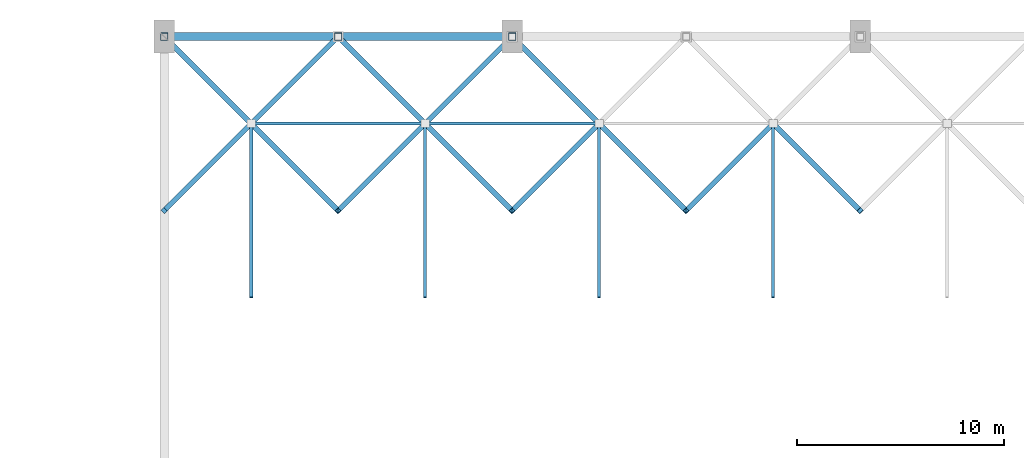
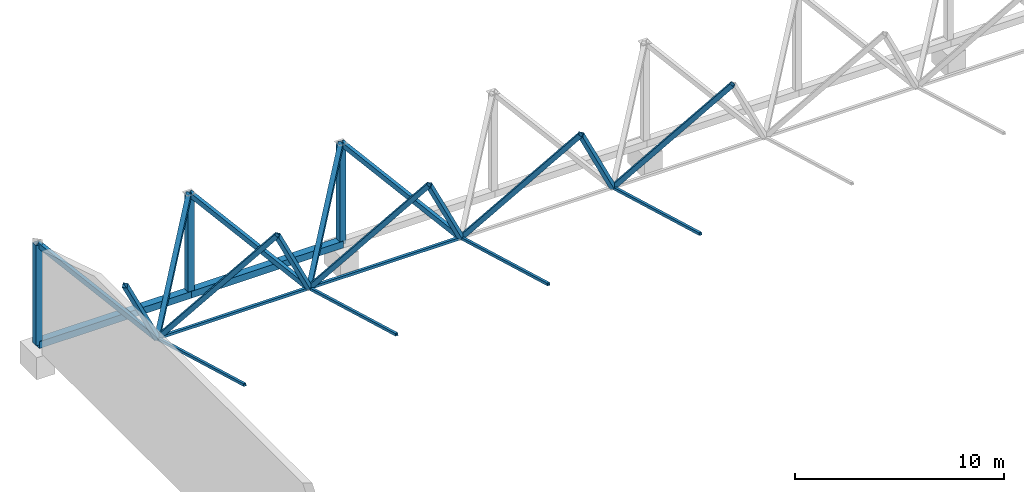
# One storey, part 56 of 163: 24 members.
"""IFC4 building model written with IfcOpenShell, lengths in metres."""

from ifc_helpers import new_model, si_unit, direction, frame, origin, origin_2d, place, context, subcontext, project, spatial, hollow_rectangle, extrude, material, material_profile, profile_set, type_object, element, save


model = new_model("IFC4")

# Units and contexts
model_context = context("Model", 3, precision=1e-05, world=origin(), true_north=direction((0.0, 1.0)))
body_context = subcontext(model_context, "Body", "Model", "MODEL_VIEW")
ifc_project = project(units=[si_unit("LENGTHUNIT", "METRE"), si_unit("AREAUNIT", "SQUARE_METRE"), si_unit("VOLUMEUNIT", "CUBIC_METRE"), si_unit("PLANEANGLEUNIT", "RADIAN"), si_unit("MASSUNIT", "GRAM", prefix="KILO")], contexts=[model_context])

# Site, building, storey
site_placement = place(None, origin())
site = spatial("IfcSite", under=ifc_project, at=site_placement, CompositionType="ELEMENT")
building_placement = place(site_placement, origin())
building = spatial("IfcBuilding", under=site, at=building_placement, Name="Rain Tree Exposition and Congress Centre", CompositionType="ELEMENT")
storey_placement = place(building_placement, frame((0.0, 0.0, 10.5)))
storey = spatial("IfcBuildingStorey", under=building, at=storey_placement, Name="L02", CompositionType="ELEMENT", Elevation=10.5)

# Members
ifc_material_1 = material(Name="Steel S355J2H", Category="steel")
ifc_material_profile_1 = material_profile(ifc_material_1, hollow_rectangle(XDim=0.25, YDim=0.25, WallThickness=0.006103515625, at=origin_2d()), Name="RHS 250x250x6")
ifc_profile_set_1 = profile_set([ifc_material_profile_1], Name="Steel S355J2H")
member_type_1 = type_object("IfcMemberType", Name="Steel brace member RHS 250x250x6", PredefinedType="BRACE", material=ifc_profile_set_1)
for number, where, z_axis, x_axis, name in (
    (1, (12.60009765625, 197.39990234375, 2.87353515625), (-0.453987384881, -0.453960996403, 0.766690855635), (0.70708622964, -0.707127332136, 0.0), "Diagonal 1276"),
    (2, (12.60009765625, 197.39990234375, 2.87353515625), (0.453966434812, -0.453966434812, 0.766700040517), (0.707106781187, 0.707106781187, 0.0), "Diagonal 1277"),
):
    element("IfcMember", number, at=place(storey_placement, frame(where, z_axis=z_axis, x_axis=x_axis)), inside=storey, type_object=member_type_1, Name=name, PredefinedType="BRACE", context=body_context, shape_type="SweptSolid", body=[
        extrude(hollow_rectangle(XDim=0.25, YDim=0.25, WallThickness=0.006103515625, at=origin_2d()), origin(), (0.0, 0.0, 1.0), 9.251708984375),
    ])
member_1_placement = place(storey_placement, frame((12.60009765625, 197.39990234375, 2.87353515625), z_axis=(-0.564699033018, 0.564699033018, 0.60185546788), x_axis=(-0.707106781187, -0.707106781187, 0.0)))
element("IfcMember", 3, at=member_1_placement, inside=storey, type_object=member_type_1, Name="Diagonal 1278", PredefinedType="BRACE", context=body_context, shape_type="SweptSolid", body=[
    extrude(hollow_rectangle(XDim=0.25, YDim=0.25, WallThickness=0.006103515625, at=origin_2d()), origin(), (0.0, 0.0, 1.0), 7.43798828125),
])
member_2_placement = place(storey_placement, frame((12.60009765625, 197.39990234375, 2.87353515625), z_axis=(0.564676675678, 0.564709499992, 0.601866623567), x_axis=(-0.707127332136, 0.70708622964, 0.0)))
element("IfcMember", 4, at=member_2_placement, inside=storey, type_object=member_type_1, Name="Diagonal 1279", PredefinedType="BRACE", context=body_context, shape_type="SweptSolid", body=[
    extrude(hollow_rectangle(XDim=0.25, YDim=0.25, WallThickness=0.006103515625, at=origin_2d()), origin(), (0.0, 0.0, 1.0), 7.437744140625),
])
for number, where, z_axis, x_axis, name in (
    (5, (21.0, 197.39990234375, 2.87353515625), (-0.453966434812, -0.453966434812, 0.766700040517), (0.707106781187, -0.707106781187, 0.0), "Diagonal 1281"),
    (6, (21.0, 197.39990234375, 2.87353515625), (0.453966434812, -0.453966434812, 0.766700040517), (0.707106781187, 0.707106781187, 0.0), "Diagonal 1282"),
):
    element("IfcMember", number, at=place(storey_placement, frame(where, z_axis=z_axis, x_axis=x_axis)), inside=storey, type_object=member_type_1, Name=name, PredefinedType="BRACE", context=body_context, shape_type="SweptSolid", body=[
        extrude(hollow_rectangle(XDim=0.25, YDim=0.25, WallThickness=0.006103515625, at=origin_2d()), origin(), (0.0, 0.0, 1.0), 9.251708984375),
    ])
for number, where, z_axis, x_axis, name in (
    (7, (21.0, 197.39990234375, 2.87353515625), (-0.564676675678, 0.564709499992, 0.601866623567), (-0.707127332136, -0.70708622964, 0.0), "Diagonal 1283"),
    (8, (21.0, 197.39990234375, 2.87353515625), (0.564676675678, 0.564709499992, 0.601866623567), (-0.707127332136, 0.70708622964, 0.0), "Diagonal 1284"),
):
    element("IfcMember", number, at=place(storey_placement, frame(where, z_axis=z_axis, x_axis=x_axis)), inside=storey, type_object=member_type_1, Name=name, PredefinedType="BRACE", context=body_context, shape_type="SweptSolid", body=[
        extrude(hollow_rectangle(XDim=0.25, YDim=0.25, WallThickness=0.006103515625, at=origin_2d()), origin(), (0.0, 0.0, 1.0), 7.437744140625),
    ])
for number, where, z_axis, x_axis, name in (
    (9, (29.39990234375, 197.39990234375, 2.87353515625), (-0.453966434812, -0.453966434812, 0.766700040517), (0.707106781187, -0.707106781187, 0.0), "Diagonal 1286"),
    (10, (29.39990234375, 197.39990234375, 2.87353515625), (0.453987384881, -0.453960996403, 0.766690855635), (0.70708622964, 0.707127332136, 0.0), "Diagonal 1287"),
):
    element("IfcMember", number, at=place(storey_placement, frame(where, z_axis=z_axis, x_axis=x_axis)), inside=storey, type_object=member_type_1, Name=name, PredefinedType="BRACE", context=body_context, shape_type="SweptSolid", body=[
        extrude(hollow_rectangle(XDim=0.25, YDim=0.25, WallThickness=0.006103515625, at=origin_2d()), origin(), (0.0, 0.0, 1.0), 9.251708984375),
    ])
member_3_placement = place(storey_placement, frame((29.39990234375, 197.39990234375, 2.87353515625), z_axis=(-0.564676675678, 0.564709499992, 0.601866623567), x_axis=(-0.707127332136, -0.70708622964, 0.0)))
element("IfcMember", 11, at=member_3_placement, inside=storey, type_object=member_type_1, Name="Diagonal 1288", PredefinedType="BRACE", context=body_context, shape_type="SweptSolid", body=[
    extrude(hollow_rectangle(XDim=0.25, YDim=0.25, WallThickness=0.006103515625, at=origin_2d()), origin(), (0.0, 0.0, 1.0), 7.437744140625),
])
for number, where, z_axis, x_axis, name in (
    (12, (37.800048828125, 197.39990234375, 2.87353515625), (-0.453966434812, -0.453966434812, 0.766700040517), (0.707106781187, -0.707106781187, 0.0), "Diagonal 1291"),
    (13, (37.800048828125, 197.39990234375, 2.87353515625), (0.453966434812, -0.453966434812, 0.766700040517), (0.707106781187, 0.707106781187, 0.0), "Diagonal 1292"),
):
    element("IfcMember", number, at=place(storey_placement, frame(where, z_axis=z_axis, x_axis=x_axis)), inside=storey, type_object=member_type_1, Name=name, PredefinedType="BRACE", context=body_context, shape_type="SweptSolid", body=[
        extrude(hollow_rectangle(XDim=0.25, YDim=0.25, WallThickness=0.006103515625, at=origin_2d()), origin(), (0.0, 0.0, 1.0), 9.251708984375),
    ])
ifc_material_2 = material(Name="Steel S355J2H", Category="steel")
ifc_material_profile_2 = material_profile(ifc_material_2, hollow_rectangle(XDim=0.14990234375, YDim=0.14990234375, WallThickness=0.00439453125, at=origin_2d()), Name="RHS 150x150x4.5")
ifc_profile_set_2 = profile_set([ifc_material_profile_2], Name="Steel S355J2H")
member_type_2 = type_object("IfcMemberType", Name="Steel chord member RHS 150x150x4.5", PredefinedType="CHORD", material=ifc_profile_set_2)
for number, where, z_axis, x_axis, name in (
    (14, (12.60009765625, 189.0, 5.232666015625), (0.0, 0.9627506985, -0.27039062953), (-1.0, 0.0, 0.0), "Bottom chord 1198"),
    (15, (21.0, 189.0, 5.232666015625), (0.0, 0.9627506985, -0.27039062953), (-1.0, 0.0, 0.0), "Bottom chord 1204"),
    (16, (29.39990234375, 189.0, 5.232666015625), (0.0, 0.9627506985, -0.27039062953), (-1.0, 0.0, 0.0), "Bottom chord 1210"),
    (17, (37.800048828125, 189.0, 5.232666015625), (0.0, 0.9627506985, -0.27039062953), (-1.0, 0.0, 0.0), "Bottom chord 1216"),
):
    element("IfcMember", number, at=place(storey_placement, frame(where, z_axis=z_axis, x_axis=x_axis)), inside=storey, type_object=member_type_2, Name=name, PredefinedType="CHORD", context=body_context, shape_type="SweptSolid", body=[
        extrude(hollow_rectangle(XDim=0.14990234375, YDim=0.14990234375, WallThickness=0.00439453125, at=origin_2d()), origin(), (0.0, 0.0, 1.0), 8.724853515625),
    ])
for number, where, z_axis, x_axis, name in (
    (18, (12.60009765625, 197.39990234375, 2.87353515625), (1.0, 0.0, 0.0), (0.0, 1.0, 0.0), "Bottom chord 1280"),
    (19, (21.0, 197.39990234375, 2.87353515625), (1.0, 0.0, 0.0), (0.0, 1.0, 0.0), "Bottom chord 1285"),
):
    element("IfcMember", number, at=place(storey_placement, frame(where, z_axis=z_axis, x_axis=x_axis)), inside=storey, type_object=member_type_2, Name=name, PredefinedType="CHORD", context=body_context, shape_type="SweptSolid", body=[
        extrude(hollow_rectangle(XDim=0.14990234375, YDim=0.14990234375, WallThickness=0.00439453125, at=origin_2d()), origin(), (0.0, 0.0, 1.0), 8.39990234375),
    ])
ifc_material_3 = material(Name="Steel S355J2H", Category="steel")
ifc_material_profile_3 = material_profile(ifc_material_3, hollow_rectangle(XDim=0.39990234375, YDim=0.39990234375, WallThickness=0.011962890625, at=origin_2d()), Name="RHS 400x400x12")
ifc_profile_set_3 = profile_set([ifc_material_profile_3], Name="Steel S355J2H")
member_type_3 = type_object("IfcMemberType", Name="Steel chord member RHS 400x400x12", PredefinedType="CHORD", material=ifc_profile_set_3)
member_4_placement = place(storey_placement, frame((8.39990234375, 201.60009765625, 1.5), z_axis=(1.0, 0.0, 0.0), x_axis=(0.0, 1.0, 0.0)))
element("IfcMember", 20, at=member_4_placement, inside=storey, type_object=member_type_3, Name="Eaves chord 1374", PredefinedType="CHORD", context=body_context, shape_type="SweptSolid", body=[
    extrude(hollow_rectangle(XDim=0.39990234375, YDim=0.39990234375, WallThickness=0.011962890625, at=origin_2d()), origin(), (0.0, 0.0, 1.0), 8.400146484375),
])
member_5_placement = place(storey_placement, frame((16.800048828125, 201.60009765625, 1.5), z_axis=(1.0, 0.0, 0.0), x_axis=(0.0, 1.0, 0.0)))
element("IfcMember", 21, at=member_5_placement, inside=storey, type_object=member_type_3, Name="Eaves chord 1375", PredefinedType="CHORD", context=body_context, shape_type="SweptSolid", body=[
    extrude(hollow_rectangle(XDim=0.39990234375, YDim=0.39990234375, WallThickness=0.011962890625, at=origin_2d()), origin(), (0.0, 0.0, 1.0), 8.39990234375),
])
ifc_material_4 = material(Name="Steel S355J2H", Category="steel")
ifc_material_profile_4 = material_profile(ifc_material_4, hollow_rectangle(XDim=0.35009765625, YDim=0.35009765625, WallThickness=0.009033203125, at=origin_2d()), Name="RHS 350x350x9")
ifc_profile_set_4 = profile_set([ifc_material_profile_4], Name="Steel S355J2H")
member_type_4 = type_object("IfcMemberType", Name="Steel post member RHS 350x350x9", PredefinedType="POST", material=ifc_profile_set_4)
for number, where, z_axis, x_axis, name in (
    (22, (8.39990234375, 201.60009765625, 1.5), (0.0, 0.0, 1.0), (1.0, 0.0, 0.0), "Eaves post 1388"),
    (23, (16.800048828125, 201.60009765625, 1.5), (0.0, 0.0, 1.0), (1.0, 0.0, 0.0), "Eaves post 1389"),
    (24, (25.199951171875, 201.60009765625, 1.5), (0.0, 0.0, 1.0), (1.0, 0.0, 0.0), "Eaves post 1390"),
):
    element("IfcMember", number, at=place(storey_placement, frame(where, z_axis=z_axis, x_axis=x_axis)), inside=storey, type_object=member_type_4, Name=name, PredefinedType="POST", context=body_context, shape_type="SweptSolid", body=[
        extrude(hollow_rectangle(XDim=0.35009765625, YDim=0.35009765625, WallThickness=0.009033203125, at=origin_2d()), origin(), (0.0, 0.0, 1.0), 5.85009765625),
    ])

save(model, "model.ifc")
